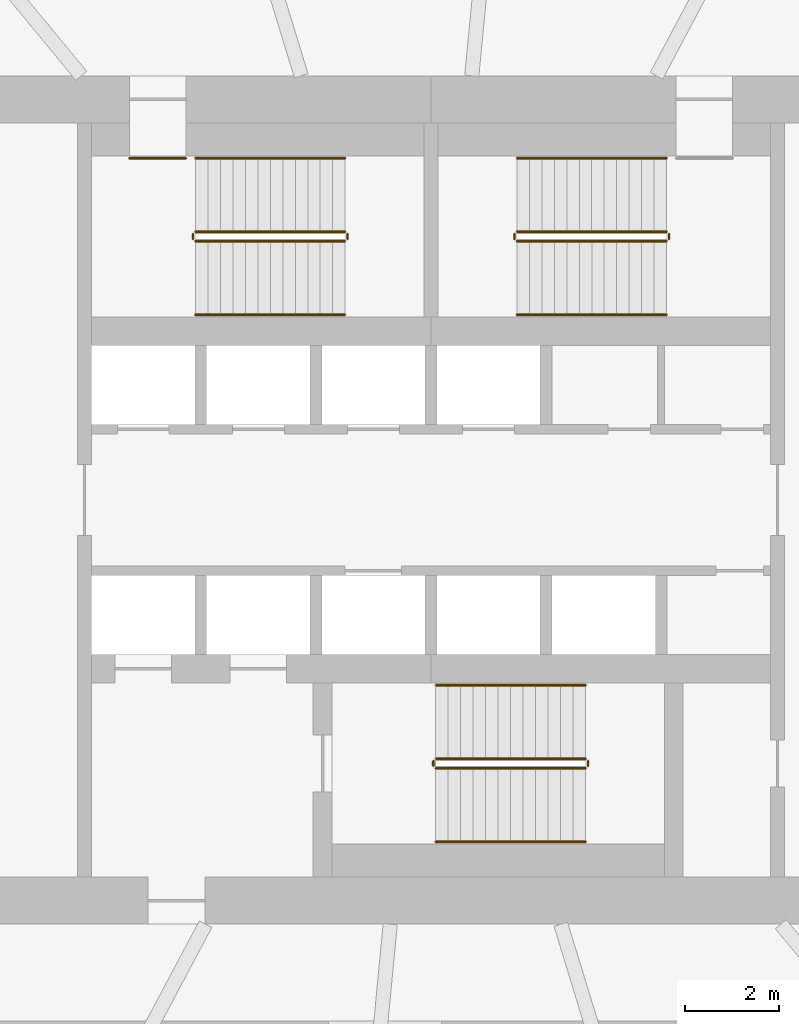
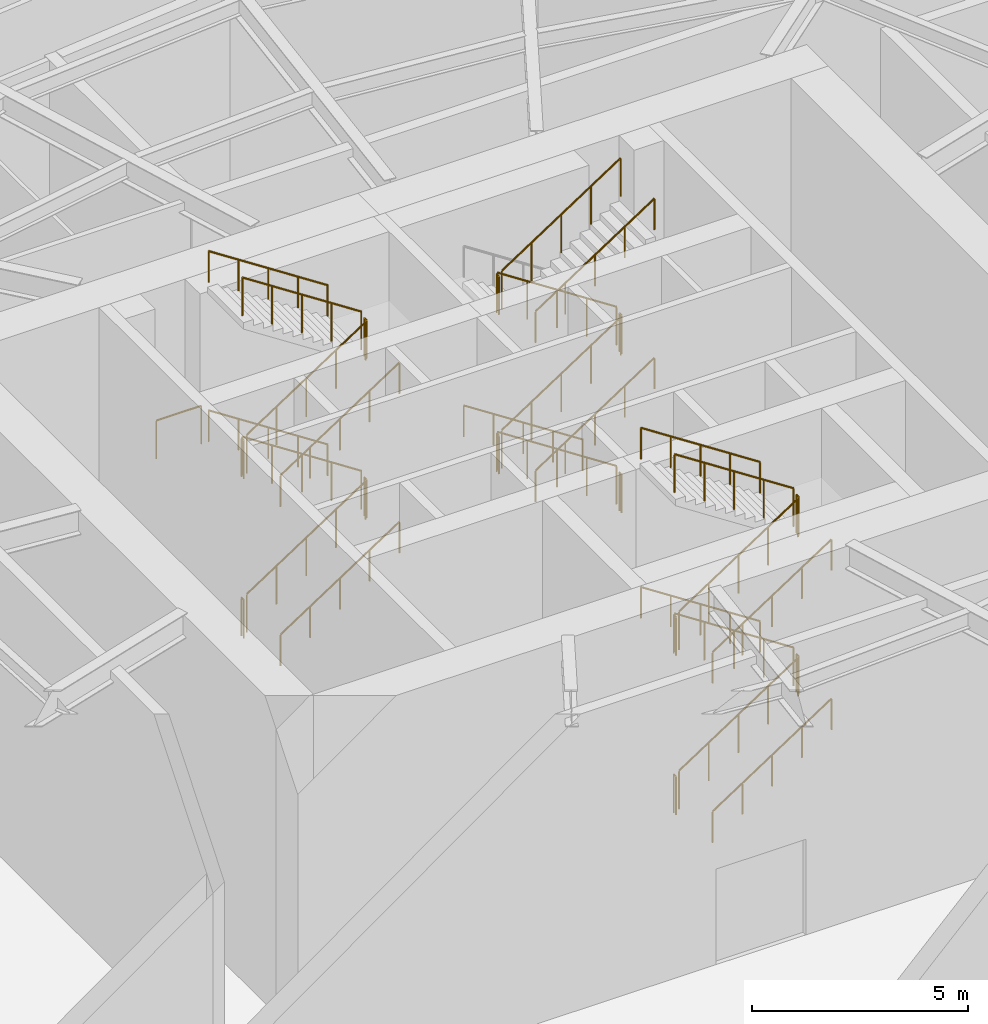
# One storey, part 18 of 19: 36 railings.
"""IFC4 building model written with IfcOpenShell, lengths in metres."""

from ifc_helpers import new_model, si_unit, direction, frame, origin, origin_2d, place, context, subcontext, project, spatial, circle, extrude, material, type_object, element, save


model = new_model("IFC4")

# Units and contexts
model_context = context("Model", 3, precision=1e-05, world=origin(), true_north=direction((0.0, 1.0)))
body_context = subcontext(model_context, "Body", "Model", "MODEL_VIEW")
ifc_project = project(units=[si_unit("LENGTHUNIT", "METRE"), si_unit("AREAUNIT", "SQUARE_METRE"), si_unit("VOLUMEUNIT", "CUBIC_METRE"), si_unit("PLANEANGLEUNIT", "RADIAN"), si_unit("MASSUNIT", "GRAM", prefix="KILO")], contexts=[model_context])

# Site, building, storey
site_placement = place(None, origin())
site = spatial("IfcSite", under=ifc_project, at=site_placement, CompositionType="ELEMENT")
building_placement = place(site_placement, origin())
building = spatial("IfcBuilding", under=site, at=building_placement, Name="Vermilion Reach Broadcast Tower", CompositionType="ELEMENT")
storey_placement = place(building_placement, frame((0.0, 0.0, 17.0)))
storey = spatial("IfcBuildingStorey", under=building, at=storey_placement, Name="L02", CompositionType="ELEMENT", Elevation=17.0)

# Railings
ifc_material_1 = material(Name="Stainless steel", Category="steel")
railing_type_1 = type_object("IfcRailingType", Name="Stair guard 1100", PredefinedType="GUARDRAIL", material=ifc_material_1)
railing_1_placement = place(storey_placement, frame((-11.0, 5.489990234375, 0.173095703125)))
element("IfcRailing", 1, at=railing_1_placement, inside=storey, type_object=railing_type_1, Name="L02 ST1 stair guard 1", PredefinedType="GUARDRAIL", context=body_context, shape_type="SweptSolid", body=[
    extrude(circle(Radius=0.02392578125, at=origin_2d()), frame((0.0, 0.0, 1.076171875), z_axis=(0.837244679093, 0.0, 0.546828444149), x_axis=(0.0, 1.0, 0.0)), (0.0, 0.0, 1.0), 3.798095703125),
    extrude(circle(Radius=0.02099609375, at=origin_2d()), origin(), (0.0, 0.0, 1.0), 1.052001953125),
    extrude(circle(Radius=0.02099609375, at=origin_2d()), frame((0.794921875, 0.0, 0.519287109375)), (0.0, 0.0, 1.0), 1.052001953125),
    extrude(circle(Radius=0.02099609375, at=origin_2d()), frame((1.58984375, 0.0, 1.03857421875)), (0.0, 0.0, 1.0), 1.052001953125),
    extrude(circle(Radius=0.02099609375, at=origin_2d()), frame((2.385009765625, 0.0, 1.5576171875)), (0.0, 0.0, 1.0), 1.052001953125),
    extrude(circle(Radius=0.02099609375, at=origin_2d()), frame((3.179931640625, 0.0, 2.076904296875)), (0.0, 0.0, 1.0), 1.052001953125),
])
railing_2_placement = place(storey_placement, frame((-7.77001953125, 5.5400390625, 2.25)))
element("IfcRailing", 2, at=railing_2_placement, inside=storey, type_object=railing_type_1, Name="L02 ST1 stair guard 2", PredefinedType="GUARDRAIL", context=body_context, shape_type="SweptSolid", body=[
    extrude(circle(Radius=0.02392578125, at=origin_2d()), frame((0.0, 0.0, 1.076171875), z_axis=(0.0, 1.0, 0.0), x_axis=(-1.0, 0.0, 0.0)), (0.0, 0.0, 1.0), 0.099853515625),
    extrude(circle(Radius=0.02099609375, at=origin_2d()), origin(), (0.0, 0.0, 1.0), 1.052001953125),
    extrude(circle(Radius=0.02099609375, at=origin_2d()), frame((0.0, 0.099853515625, 0.0)), (0.0, 0.0, 1.0), 1.052001953125),
])
railing_3_placement = place(storey_placement, frame((-7.820068359375, 5.68994140625, 2.423095703125)))
element("IfcRailing", 3, at=railing_3_placement, inside=storey, type_object=railing_type_1, Name="L02 ST1 stair guard 3", PredefinedType="GUARDRAIL", context=body_context, shape_type="SweptSolid", body=[
    extrude(circle(Radius=0.02392578125, at=origin_2d()), frame((0.0, 0.0, 1.076171875), z_axis=(-0.837244679093, 0.0, 0.546828444149), x_axis=(0.0, -1.0, 0.0)), (0.0, 0.0, 1.0), 3.798095703125),
    extrude(circle(Radius=0.02099609375, at=origin_2d()), origin(), (0.0, 0.0, 1.0), 1.052001953125),
    extrude(circle(Radius=0.02099609375, at=origin_2d()), frame((-0.794921875, 0.0, 0.519287109375)), (0.0, 0.0, 1.0), 1.052001953125),
    extrude(circle(Radius=0.02099609375, at=origin_2d()), frame((-1.58984375, 0.0, 1.03857421875)), (0.0, 0.0, 1.0), 1.052001953125),
    extrude(circle(Radius=0.02099609375, at=origin_2d()), frame((-2.385009765625, 0.0, 1.5576171875)), (0.0, 0.0, 1.0), 1.052001953125),
    extrude(circle(Radius=0.02099609375, at=origin_2d()), frame((-3.179931640625, 0.0, 2.076904296875)), (0.0, 0.0, 1.0), 1.052001953125),
])
railing_4_placement = place(storey_placement, frame((-11.050048828125, 5.5400390625, 4.5)))
element("IfcRailing", 4, at=railing_4_placement, inside=storey, type_object=railing_type_1, Name="L02 ST1 stair guard 4", PredefinedType="GUARDRAIL", context=body_context, shape_type="SweptSolid", body=[
    extrude(circle(Radius=0.02392578125, at=origin_2d()), frame((0.0, 0.0, 1.076171875), z_axis=(0.0, 1.0, 0.0), x_axis=(-1.0, 0.0, 0.0)), (0.0, 0.0, 1.0), 0.099853515625),
    extrude(circle(Radius=0.02099609375, at=origin_2d()), origin(), (0.0, 0.0, 1.0), 1.052001953125),
    extrude(circle(Radius=0.02099609375, at=origin_2d()), frame((0.0, 0.099853515625, 0.0)), (0.0, 0.0, 1.0), 1.052001953125),
])
railing_5_placement = place(storey_placement, frame((-11.0, 5.489990234375, 4.673095703125)))
element("IfcRailing", 5, at=railing_5_placement, inside=storey, type_object=railing_type_1, Name="L02 ST1 stair guard 5", PredefinedType="GUARDRAIL", context=body_context, shape_type="SweptSolid", body=[
    extrude(circle(Radius=0.02392578125, at=origin_2d()), frame((0.0, 0.0, 1.076171875), z_axis=(0.837244679093, 0.0, 0.546828444149), x_axis=(0.0, 1.0, 0.0)), (0.0, 0.0, 1.0), 3.798095703125),
    extrude(circle(Radius=0.02099609375, at=origin_2d()), origin(), (0.0, 0.0, 1.0), 1.052001953125),
    extrude(circle(Radius=0.02099609375, at=origin_2d()), frame((0.794921875, 0.0, 0.519287109375)), (0.0, 0.0, 1.0), 1.052001953125),
    extrude(circle(Radius=0.02099609375, at=origin_2d()), frame((1.58984375, 0.0, 1.03857421875)), (0.0, 0.0, 1.0), 1.052001953125),
    extrude(circle(Radius=0.02099609375, at=origin_2d()), frame((2.385009765625, 0.0, 1.5576171875)), (0.0, 0.0, 1.0), 1.052001953125),
    extrude(circle(Radius=0.02099609375, at=origin_2d()), frame((3.179931640625, 0.0, 2.076904296875)), (0.0, 0.0, 1.0), 1.052001953125),
])
railing_6_placement = place(storey_placement, frame((-7.77001953125, 5.5400390625, 6.75)))
element("IfcRailing", 6, at=railing_6_placement, inside=storey, type_object=railing_type_1, Name="L02 ST1 stair guard 6", PredefinedType="GUARDRAIL", context=body_context, shape_type="SweptSolid", body=[
    extrude(circle(Radius=0.02392578125, at=origin_2d()), frame((0.0, 0.0, 1.076171875), z_axis=(0.0, 1.0, 0.0), x_axis=(-1.0, 0.0, 0.0)), (0.0, 0.0, 1.0), 0.099853515625),
    extrude(circle(Radius=0.02099609375, at=origin_2d()), origin(), (0.0, 0.0, 1.0), 1.052001953125),
    extrude(circle(Radius=0.02099609375, at=origin_2d()), frame((0.0, 0.099853515625, 0.0)), (0.0, 0.0, 1.0), 1.052001953125),
])
railing_7_placement = place(storey_placement, frame((-7.820068359375, 5.68994140625, 6.923095703125)))
element("IfcRailing", 7, at=railing_7_placement, inside=storey, type_object=railing_type_1, Name="L02 ST1 stair guard 7", PredefinedType="GUARDRAIL", context=body_context, shape_type="SweptSolid", body=[
    extrude(circle(Radius=0.02392578125, at=origin_2d()), frame((0.0, 0.0, 1.076171875), z_axis=(-0.837244679093, 0.0, 0.546828444149), x_axis=(0.0, -1.0, 0.0)), (0.0, 0.0, 1.0), 3.798095703125),
    extrude(circle(Radius=0.02099609375, at=origin_2d()), origin(), (0.0, 0.0, 1.0), 1.052001953125),
    extrude(circle(Radius=0.02099609375, at=origin_2d()), frame((-0.794921875, 0.0, 0.519287109375)), (0.0, 0.0, 1.0), 1.052001953125),
    extrude(circle(Radius=0.02099609375, at=origin_2d()), frame((-1.58984375, 0.0, 1.03857421875)), (0.0, 0.0, 1.0), 1.052001953125),
    extrude(circle(Radius=0.02099609375, at=origin_2d()), frame((-2.385009765625, 0.0, 1.5576171875)), (0.0, 0.0, 1.0), 1.052001953125),
    extrude(circle(Radius=0.02099609375, at=origin_2d()), frame((-3.179931640625, 0.0, 2.076904296875)), (0.0, 0.0, 1.0), 1.052001953125),
])
railing_8_placement = place(storey_placement, frame((-11.050048828125, 5.5400390625, 0.0)))
element("IfcRailing", 8, at=railing_8_placement, inside=storey, type_object=railing_type_1, Name="L02 ST1 stair guard 8", PredefinedType="GUARDRAIL", context=body_context, shape_type="SweptSolid", body=[
    extrude(circle(Radius=0.02392578125, at=origin_2d()), frame((0.0, 0.0, 1.076171875), z_axis=(0.0, 1.0, 0.0), x_axis=(-1.0, 0.0, 0.0)), (0.0, 0.0, 1.0), 0.099853515625),
    extrude(circle(Radius=0.02099609375, at=origin_2d()), origin(), (0.0, 0.0, 1.0), 1.052001953125),
    extrude(circle(Radius=0.02099609375, at=origin_2d()), frame((0.0, 0.099853515625, 0.0)), (0.0, 0.0, 1.0), 1.052001953125),
])
railing_9_placement = place(storey_placement, frame((-12.39990234375, 7.25, 4.5)))
element("IfcRailing", 9, at=railing_9_placement, inside=storey, type_object=railing_type_1, Name="L02 ST1 doorway guard", PredefinedType="GUARDRAIL", context=body_context, shape_type="SweptSolid", body=[
    extrude(circle(Radius=0.02392578125, at=origin_2d()), frame((0.0, 0.0, 1.076171875), z_axis=(1.0, 0.0, 0.0), x_axis=(0.0, 1.0, 0.0)), (0.0, 0.0, 1.0), 1.199951171875),
    extrude(circle(Radius=0.02099609375, at=origin_2d()), origin(), (0.0, 0.0, 1.0), 1.052001953125),
    extrude(circle(Radius=0.02099609375, at=origin_2d()), frame((1.199951171875, 0.0, 0.0)), (0.0, 0.0, 1.0), 1.052001953125),
])
railing_10_placement = place(storey_placement, frame((-1.0, 5.68994140625, 0.173095703125)))
element("IfcRailing", 10, at=railing_10_placement, inside=storey, type_object=railing_type_1, Name="L02 ST2 stair guard 1", PredefinedType="GUARDRAIL", context=body_context, shape_type="SweptSolid", body=[
    extrude(circle(Radius=0.02392578125, at=origin_2d()), frame((0.0, 0.0, 1.076171875), z_axis=(-0.837244679093, 0.0, 0.546828444149), x_axis=(0.0, -1.0, 0.0)), (0.0, 0.0, 1.0), 3.798095703125),
    extrude(circle(Radius=0.02099609375, at=origin_2d()), origin(), (0.0, 0.0, 1.0), 1.052001953125),
    extrude(circle(Radius=0.02099609375, at=origin_2d()), frame((-0.794921875, 0.0, 0.519287109375)), (0.0, 0.0, 1.0), 1.052001953125),
    extrude(circle(Radius=0.02099609375, at=origin_2d()), frame((-1.58984375, 0.0, 1.03857421875)), (0.0, 0.0, 1.0), 1.052001953125),
    extrude(circle(Radius=0.02099609375, at=origin_2d()), frame((-2.385009765625, 0.0, 1.5576171875)), (0.0, 0.0, 1.0), 1.052001953125),
    extrude(circle(Radius=0.02099609375, at=origin_2d()), frame((-3.179931640625, 0.0, 2.076904296875)), (0.0, 0.0, 1.0), 1.052001953125),
])
railing_11_placement = place(storey_placement, frame((-4.22998046875, 5.639892578125, 2.25)))
element("IfcRailing", 11, at=railing_11_placement, inside=storey, type_object=railing_type_1, Name="L02 ST2 stair guard 2", PredefinedType="GUARDRAIL", context=body_context, shape_type="SweptSolid", body=[
    extrude(circle(Radius=0.02392578125, at=origin_2d()), frame((0.0, 0.0, 1.076171875), z_axis=(0.0, -1.0, 0.0), x_axis=(1.0, 0.0, 0.0)), (0.0, 0.0, 1.0), 0.099853515625),
    extrude(circle(Radius=0.02099609375, at=origin_2d()), origin(), (0.0, 0.0, 1.0), 1.052001953125),
    extrude(circle(Radius=0.02099609375, at=origin_2d()), frame((0.0, -0.099853515625, 0.0)), (0.0, 0.0, 1.0), 1.052001953125),
])
railing_12_placement = place(storey_placement, frame((-4.179931640625, 5.489990234375, 2.423095703125)))
element("IfcRailing", 12, at=railing_12_placement, inside=storey, type_object=railing_type_1, Name="L02 ST2 stair guard 3", PredefinedType="GUARDRAIL", context=body_context, shape_type="SweptSolid", body=[
    extrude(circle(Radius=0.02392578125, at=origin_2d()), frame((0.0, 0.0, 1.076171875), z_axis=(0.837244679093, 0.0, 0.546828444149), x_axis=(0.0, 1.0, 0.0)), (0.0, 0.0, 1.0), 3.798095703125),
    extrude(circle(Radius=0.02099609375, at=origin_2d()), origin(), (0.0, 0.0, 1.0), 1.052001953125),
    extrude(circle(Radius=0.02099609375, at=origin_2d()), frame((0.794921875, 0.0, 0.519287109375)), (0.0, 0.0, 1.0), 1.052001953125),
    extrude(circle(Radius=0.02099609375, at=origin_2d()), frame((1.58984375, 0.0, 1.03857421875)), (0.0, 0.0, 1.0), 1.052001953125),
    extrude(circle(Radius=0.02099609375, at=origin_2d()), frame((2.385009765625, 0.0, 1.5576171875)), (0.0, 0.0, 1.0), 1.052001953125),
    extrude(circle(Radius=0.02099609375, at=origin_2d()), frame((3.179931640625, 0.0, 2.076904296875)), (0.0, 0.0, 1.0), 1.052001953125),
])
railing_13_placement = place(storey_placement, frame((-0.949951171875, 5.639892578125, 4.5)))
element("IfcRailing", 13, at=railing_13_placement, inside=storey, type_object=railing_type_1, Name="L02 ST2 stair guard 4", PredefinedType="GUARDRAIL", context=body_context, shape_type="SweptSolid", body=[
    extrude(circle(Radius=0.02392578125, at=origin_2d()), frame((0.0, 0.0, 1.076171875), z_axis=(0.0, -1.0, 0.0), x_axis=(1.0, 0.0, 0.0)), (0.0, 0.0, 1.0), 0.099853515625),
    extrude(circle(Radius=0.02099609375, at=origin_2d()), origin(), (0.0, 0.0, 1.0), 1.052001953125),
    extrude(circle(Radius=0.02099609375, at=origin_2d()), frame((0.0, -0.099853515625, 0.0)), (0.0, 0.0, 1.0), 1.052001953125),
])
railing_14_placement = place(storey_placement, frame((-1.0, 5.68994140625, 4.673095703125)))
element("IfcRailing", 14, at=railing_14_placement, inside=storey, type_object=railing_type_1, Name="L02 ST2 stair guard 5", PredefinedType="GUARDRAIL", context=body_context, shape_type="SweptSolid", body=[
    extrude(circle(Radius=0.02392578125, at=origin_2d()), frame((0.0, 0.0, 1.076171875), z_axis=(-0.837244679093, 0.0, 0.546828444149), x_axis=(0.0, -1.0, 0.0)), (0.0, 0.0, 1.0), 3.798095703125),
    extrude(circle(Radius=0.02099609375, at=origin_2d()), origin(), (0.0, 0.0, 1.0), 1.052001953125),
    extrude(circle(Radius=0.02099609375, at=origin_2d()), frame((-0.794921875, 0.0, 0.519287109375)), (0.0, 0.0, 1.0), 1.052001953125),
    extrude(circle(Radius=0.02099609375, at=origin_2d()), frame((-1.58984375, 0.0, 1.03857421875)), (0.0, 0.0, 1.0), 1.052001953125),
    extrude(circle(Radius=0.02099609375, at=origin_2d()), frame((-2.385009765625, 0.0, 1.5576171875)), (0.0, 0.0, 1.0), 1.052001953125),
    extrude(circle(Radius=0.02099609375, at=origin_2d()), frame((-3.179931640625, 0.0, 2.076904296875)), (0.0, 0.0, 1.0), 1.052001953125),
])
railing_15_placement = place(storey_placement, frame((-4.22998046875, 5.639892578125, 6.75)))
element("IfcRailing", 15, at=railing_15_placement, inside=storey, type_object=railing_type_1, Name="L02 ST2 stair guard 6", PredefinedType="GUARDRAIL", context=body_context, shape_type="SweptSolid", body=[
    extrude(circle(Radius=0.02392578125, at=origin_2d()), frame((0.0, 0.0, 1.076171875), z_axis=(0.0, -1.0, 0.0), x_axis=(1.0, 0.0, 0.0)), (0.0, 0.0, 1.0), 0.099853515625),
    extrude(circle(Radius=0.02099609375, at=origin_2d()), origin(), (0.0, 0.0, 1.0), 1.052001953125),
    extrude(circle(Radius=0.02099609375, at=origin_2d()), frame((0.0, -0.099853515625, 0.0)), (0.0, 0.0, 1.0), 1.052001953125),
])
railing_16_placement = place(storey_placement, frame((-4.179931640625, 5.489990234375, 6.923095703125)))
element("IfcRailing", 16, at=railing_16_placement, inside=storey, type_object=railing_type_1, Name="L02 ST2 stair guard 7", PredefinedType="GUARDRAIL", context=body_context, shape_type="SweptSolid", body=[
    extrude(circle(Radius=0.02392578125, at=origin_2d()), frame((0.0, 0.0, 1.076171875), z_axis=(0.837244679093, 0.0, 0.546828444149), x_axis=(0.0, 1.0, 0.0)), (0.0, 0.0, 1.0), 3.798095703125),
    extrude(circle(Radius=0.02099609375, at=origin_2d()), origin(), (0.0, 0.0, 1.0), 1.052001953125),
    extrude(circle(Radius=0.02099609375, at=origin_2d()), frame((0.794921875, 0.0, 0.519287109375)), (0.0, 0.0, 1.0), 1.052001953125),
    extrude(circle(Radius=0.02099609375, at=origin_2d()), frame((1.58984375, 0.0, 1.03857421875)), (0.0, 0.0, 1.0), 1.052001953125),
    extrude(circle(Radius=0.02099609375, at=origin_2d()), frame((2.385009765625, 0.0, 1.5576171875)), (0.0, 0.0, 1.0), 1.052001953125),
    extrude(circle(Radius=0.02099609375, at=origin_2d()), frame((3.179931640625, 0.0, 2.076904296875)), (0.0, 0.0, 1.0), 1.052001953125),
])
railing_17_placement = place(storey_placement, frame((-0.949951171875, 5.639892578125, 0.0)))
element("IfcRailing", 17, at=railing_17_placement, inside=storey, type_object=railing_type_1, Name="L02 ST2 stair guard 8", PredefinedType="GUARDRAIL", context=body_context, shape_type="SweptSolid", body=[
    extrude(circle(Radius=0.02392578125, at=origin_2d()), frame((0.0, 0.0, 1.076171875), z_axis=(0.0, -1.0, 0.0), x_axis=(1.0, 0.0, 0.0)), (0.0, 0.0, 1.0), 0.099853515625),
    extrude(circle(Radius=0.02099609375, at=origin_2d()), origin(), (0.0, 0.0, 1.0), 1.052001953125),
    extrude(circle(Radius=0.02099609375, at=origin_2d()), frame((0.0, -0.099853515625, 0.0)), (0.0, 0.0, 1.0), 1.052001953125),
])
railing_18_placement = place(storey_placement, frame((-5.89990234375, -5.68994140625, 0.173095703125)))
element("IfcRailing", 18, at=railing_18_placement, inside=storey, type_object=railing_type_1, Name="L02 ST3 stair guard 1", PredefinedType="GUARDRAIL", context=body_context, shape_type="SweptSolid", body=[
    extrude(circle(Radius=0.02392578125, at=origin_2d()), frame((0.0, 0.0, 1.076171875), z_axis=(0.837244679093, 0.0, 0.546828444149), x_axis=(0.0, 1.0, 0.0)), (0.0, 0.0, 1.0), 3.798095703125),
    extrude(circle(Radius=0.02099609375, at=origin_2d()), origin(), (0.0, 0.0, 1.0), 1.052001953125),
    extrude(circle(Radius=0.02099609375, at=origin_2d()), frame((0.794921875, 0.0, 0.519287109375)), (0.0, 0.0, 1.0), 1.052001953125),
    extrude(circle(Radius=0.02099609375, at=origin_2d()), frame((1.58984375, 0.0, 1.03857421875)), (0.0, 0.0, 1.0), 1.052001953125),
    extrude(circle(Radius=0.02099609375, at=origin_2d()), frame((2.385009765625, 0.0, 1.5576171875)), (0.0, 0.0, 1.0), 1.052001953125),
    extrude(circle(Radius=0.02099609375, at=origin_2d()), frame((3.179931640625, 0.0, 2.076904296875)), (0.0, 0.0, 1.0), 1.052001953125),
])
railing_19_placement = place(storey_placement, frame((-2.669921875, -5.639892578125, 2.25)))
element("IfcRailing", 19, at=railing_19_placement, inside=storey, type_object=railing_type_1, Name="L02 ST3 stair guard 2", PredefinedType="GUARDRAIL", context=body_context, shape_type="SweptSolid", body=[
    extrude(circle(Radius=0.02392578125, at=origin_2d()), frame((0.0, 0.0, 1.076171875), z_axis=(0.0, 1.0, 0.0), x_axis=(-1.0, 0.0, 0.0)), (0.0, 0.0, 1.0), 0.099853515625),
    extrude(circle(Radius=0.02099609375, at=origin_2d()), origin(), (0.0, 0.0, 1.0), 1.052001953125),
    extrude(circle(Radius=0.02099609375, at=origin_2d()), frame((0.0, 0.099853515625, 0.0)), (0.0, 0.0, 1.0), 1.052001953125),
])
railing_20_placement = place(storey_placement, frame((-2.719970703125, -5.489990234375, 2.423095703125)))
element("IfcRailing", 20, at=railing_20_placement, inside=storey, type_object=railing_type_1, Name="L02 ST3 stair guard 3", PredefinedType="GUARDRAIL", context=body_context, shape_type="SweptSolid", body=[
    extrude(circle(Radius=0.02392578125, at=origin_2d()), frame((0.0, 0.0, 1.076171875), z_axis=(-0.837244679093, 0.0, 0.546828444149), x_axis=(0.0, -1.0, 0.0)), (0.0, 0.0, 1.0), 3.798095703125),
    extrude(circle(Radius=0.02099609375, at=origin_2d()), origin(), (0.0, 0.0, 1.0), 1.052001953125),
    extrude(circle(Radius=0.02099609375, at=origin_2d()), frame((-0.794921875, 0.0, 0.519287109375)), (0.0, 0.0, 1.0), 1.052001953125),
    extrude(circle(Radius=0.02099609375, at=origin_2d()), frame((-1.58984375, 0.0, 1.03857421875)), (0.0, 0.0, 1.0), 1.052001953125),
    extrude(circle(Radius=0.02099609375, at=origin_2d()), frame((-2.385009765625, 0.0, 1.5576171875)), (0.0, 0.0, 1.0), 1.052001953125),
    extrude(circle(Radius=0.02099609375, at=origin_2d()), frame((-3.179931640625, 0.0, 2.076904296875)), (0.0, 0.0, 1.0), 1.052001953125),
])
railing_21_placement = place(storey_placement, frame((-5.949951171875, -5.639892578125, 4.5)))
element("IfcRailing", 21, at=railing_21_placement, inside=storey, type_object=railing_type_1, Name="L02 ST3 stair guard 4", PredefinedType="GUARDRAIL", context=body_context, shape_type="SweptSolid", body=[
    extrude(circle(Radius=0.02392578125, at=origin_2d()), frame((0.0, 0.0, 1.076171875), z_axis=(0.0, 1.0, 0.0), x_axis=(-1.0, 0.0, 0.0)), (0.0, 0.0, 1.0), 0.099853515625),
    extrude(circle(Radius=0.02099609375, at=origin_2d()), origin(), (0.0, 0.0, 1.0), 1.052001953125),
    extrude(circle(Radius=0.02099609375, at=origin_2d()), frame((0.0, 0.099853515625, 0.0)), (0.0, 0.0, 1.0), 1.052001953125),
])
railing_22_placement = place(storey_placement, frame((-5.89990234375, -5.68994140625, 4.673095703125)))
element("IfcRailing", 22, at=railing_22_placement, inside=storey, type_object=railing_type_1, Name="L02 ST3 stair guard 5", PredefinedType="GUARDRAIL", context=body_context, shape_type="SweptSolid", body=[
    extrude(circle(Radius=0.02392578125, at=origin_2d()), frame((0.0, 0.0, 1.076171875), z_axis=(0.837244679093, 0.0, 0.546828444149), x_axis=(0.0, 1.0, 0.0)), (0.0, 0.0, 1.0), 3.798095703125),
    extrude(circle(Radius=0.02099609375, at=origin_2d()), origin(), (0.0, 0.0, 1.0), 1.052001953125),
    extrude(circle(Radius=0.02099609375, at=origin_2d()), frame((0.794921875, 0.0, 0.519287109375)), (0.0, 0.0, 1.0), 1.052001953125),
    extrude(circle(Radius=0.02099609375, at=origin_2d()), frame((1.58984375, 0.0, 1.03857421875)), (0.0, 0.0, 1.0), 1.052001953125),
    extrude(circle(Radius=0.02099609375, at=origin_2d()), frame((2.385009765625, 0.0, 1.5576171875)), (0.0, 0.0, 1.0), 1.052001953125),
    extrude(circle(Radius=0.02099609375, at=origin_2d()), frame((3.179931640625, 0.0, 2.076904296875)), (0.0, 0.0, 1.0), 1.052001953125),
])
railing_23_placement = place(storey_placement, frame((-2.669921875, -5.639892578125, 6.75)))
element("IfcRailing", 23, at=railing_23_placement, inside=storey, type_object=railing_type_1, Name="L02 ST3 stair guard 6", PredefinedType="GUARDRAIL", context=body_context, shape_type="SweptSolid", body=[
    extrude(circle(Radius=0.02392578125, at=origin_2d()), frame((0.0, 0.0, 1.076171875), z_axis=(0.0, 1.0, 0.0), x_axis=(-1.0, 0.0, 0.0)), (0.0, 0.0, 1.0), 0.099853515625),
    extrude(circle(Radius=0.02099609375, at=origin_2d()), origin(), (0.0, 0.0, 1.0), 1.052001953125),
    extrude(circle(Radius=0.02099609375, at=origin_2d()), frame((0.0, 0.099853515625, 0.0)), (0.0, 0.0, 1.0), 1.052001953125),
])
railing_24_placement = place(storey_placement, frame((-2.719970703125, -5.489990234375, 6.923095703125)))
element("IfcRailing", 24, at=railing_24_placement, inside=storey, type_object=railing_type_1, Name="L02 ST3 stair guard 7", PredefinedType="GUARDRAIL", context=body_context, shape_type="SweptSolid", body=[
    extrude(circle(Radius=0.02392578125, at=origin_2d()), frame((0.0, 0.0, 1.076171875), z_axis=(-0.837244679093, 0.0, 0.546828444149), x_axis=(0.0, -1.0, 0.0)), (0.0, 0.0, 1.0), 3.798095703125),
    extrude(circle(Radius=0.02099609375, at=origin_2d()), origin(), (0.0, 0.0, 1.0), 1.052001953125),
    extrude(circle(Radius=0.02099609375, at=origin_2d()), frame((-0.794921875, 0.0, 0.519287109375)), (0.0, 0.0, 1.0), 1.052001953125),
    extrude(circle(Radius=0.02099609375, at=origin_2d()), frame((-1.58984375, 0.0, 1.03857421875)), (0.0, 0.0, 1.0), 1.052001953125),
    extrude(circle(Radius=0.02099609375, at=origin_2d()), frame((-2.385009765625, 0.0, 1.5576171875)), (0.0, 0.0, 1.0), 1.052001953125),
    extrude(circle(Radius=0.02099609375, at=origin_2d()), frame((-3.179931640625, 0.0, 2.076904296875)), (0.0, 0.0, 1.0), 1.052001953125),
])
railing_25_placement = place(storey_placement, frame((-5.949951171875, -5.639892578125, 0.0)))
element("IfcRailing", 25, at=railing_25_placement, inside=storey, type_object=railing_type_1, Name="L02 ST3 stair guard 8", PredefinedType="GUARDRAIL", context=body_context, shape_type="SweptSolid", body=[
    extrude(circle(Radius=0.02392578125, at=origin_2d()), frame((0.0, 0.0, 1.076171875), z_axis=(0.0, 1.0, 0.0), x_axis=(-1.0, 0.0, 0.0)), (0.0, 0.0, 1.0), 0.099853515625),
    extrude(circle(Radius=0.02099609375, at=origin_2d()), origin(), (0.0, 0.0, 1.0), 1.052001953125),
    extrude(circle(Radius=0.02099609375, at=origin_2d()), frame((0.0, 0.099853515625, 0.0)), (0.0, 0.0, 1.0), 1.052001953125),
])
ifc_material_2 = material(Name="Stainless steel", Category="steel")
railing_type_2 = type_object("IfcRailingType", Name="Stair handrail", PredefinedType="HANDRAIL", material=ifc_material_2)
railing_26_placement = place(storey_placement, frame((-11.0, 3.929931640625, 0.173095703125)))
element("IfcRailing", 26, at=railing_26_placement, inside=storey, type_object=railing_type_2, Name="L02 ST1 stair handrail 1", PredefinedType="HANDRAIL", context=body_context, shape_type="SweptSolid", body=[
    extrude(circle(Radius=0.02392578125, at=origin_2d()), frame((0.0, 0.0, 0.8759765625), z_axis=(0.837244679093, 0.0, 0.546828444149), x_axis=(0.0, 1.0, 0.0)), (0.0, 0.0, 1.0), 3.798095703125),
    extrude(circle(Radius=0.02099609375, at=origin_2d()), origin(), (0.0, 0.0, 1.0), 0.851806640625),
    extrude(circle(Radius=0.02099609375, at=origin_2d()), frame((0.794921875, 0.0, 0.519287109375)), (0.0, 0.0, 1.0), 0.851806640625),
    extrude(circle(Radius=0.02099609375, at=origin_2d()), frame((1.58984375, 0.0, 1.03857421875)), (0.0, 0.0, 1.0), 0.851806640625),
    extrude(circle(Radius=0.02099609375, at=origin_2d()), frame((2.385009765625, 0.0, 1.5576171875)), (0.0, 0.0, 1.0), 0.851806640625),
    extrude(circle(Radius=0.02099609375, at=origin_2d()), frame((3.179931640625, 0.0, 2.076904296875)), (0.0, 0.0, 1.0), 0.851806640625),
])
railing_27_placement = place(storey_placement, frame((-7.820068359375, 7.25, 2.423095703125)))
element("IfcRailing", 27, at=railing_27_placement, inside=storey, type_object=railing_type_2, Name="L02 ST1 stair handrail 2", PredefinedType="HANDRAIL", context=body_context, shape_type="SweptSolid", body=[
    extrude(circle(Radius=0.02392578125, at=origin_2d()), frame((0.0, 0.0, 0.8759765625), z_axis=(-0.837244679093, 0.0, 0.546828444149), x_axis=(0.0, -1.0, 0.0)), (0.0, 0.0, 1.0), 3.798095703125),
    extrude(circle(Radius=0.02099609375, at=origin_2d()), origin(), (0.0, 0.0, 1.0), 0.851806640625),
    extrude(circle(Radius=0.02099609375, at=origin_2d()), frame((-0.794921875, 0.0, 0.519287109375)), (0.0, 0.0, 1.0), 0.851806640625),
    extrude(circle(Radius=0.02099609375, at=origin_2d()), frame((-1.58984375, 0.0, 1.03857421875)), (0.0, 0.0, 1.0), 0.851806640625),
    extrude(circle(Radius=0.02099609375, at=origin_2d()), frame((-2.385009765625, 0.0, 1.5576171875)), (0.0, 0.0, 1.0), 0.851806640625),
    extrude(circle(Radius=0.02099609375, at=origin_2d()), frame((-3.179931640625, 0.0, 2.076904296875)), (0.0, 0.0, 1.0), 0.851806640625),
])
railing_28_placement = place(storey_placement, frame((-11.0, 3.929931640625, 4.673095703125)))
element("IfcRailing", 28, at=railing_28_placement, inside=storey, type_object=railing_type_2, Name="L02 ST1 stair handrail 3", PredefinedType="HANDRAIL", context=body_context, shape_type="SweptSolid", body=[
    extrude(circle(Radius=0.02392578125, at=origin_2d()), frame((0.0, 0.0, 0.8759765625), z_axis=(0.837244679093, 0.0, 0.546828444149), x_axis=(0.0, 1.0, 0.0)), (0.0, 0.0, 1.0), 3.798095703125),
    extrude(circle(Radius=0.02099609375, at=origin_2d()), origin(), (0.0, 0.0, 1.0), 0.851806640625),
    extrude(circle(Radius=0.02099609375, at=origin_2d()), frame((0.794921875, 0.0, 0.519287109375)), (0.0, 0.0, 1.0), 0.851806640625),
    extrude(circle(Radius=0.02099609375, at=origin_2d()), frame((1.58984375, 0.0, 1.03857421875)), (0.0, 0.0, 1.0), 0.851806640625),
    extrude(circle(Radius=0.02099609375, at=origin_2d()), frame((2.385009765625, 0.0, 1.5576171875)), (0.0, 0.0, 1.0), 0.851806640625),
    extrude(circle(Radius=0.02099609375, at=origin_2d()), frame((3.179931640625, 0.0, 2.076904296875)), (0.0, 0.0, 1.0), 0.851806640625),
])
for number, where, name in (
    (29, (-7.820068359375, 7.25, 6.923095703125), "L02 ST1 stair handrail 4"),
    (30, (-1.0, 7.25, 0.173095703125), "L02 ST2 stair handrail 1"),
):
    element("IfcRailing", number, at=place(storey_placement, frame(where)), inside=storey, type_object=railing_type_2, Name=name, PredefinedType="HANDRAIL", context=body_context, shape_type="SweptSolid", body=[
        extrude(circle(Radius=0.02392578125, at=origin_2d()), frame((0.0, 0.0, 0.8759765625), z_axis=(-0.837244679093, 0.0, 0.546828444149), x_axis=(0.0, -1.0, 0.0)), (0.0, 0.0, 1.0), 3.798095703125),
        extrude(circle(Radius=0.02099609375, at=origin_2d()), origin(), (0.0, 0.0, 1.0), 0.851806640625),
        extrude(circle(Radius=0.02099609375, at=origin_2d()), frame((-0.794921875, 0.0, 0.519287109375)), (0.0, 0.0, 1.0), 0.851806640625),
        extrude(circle(Radius=0.02099609375, at=origin_2d()), frame((-1.58984375, 0.0, 1.03857421875)), (0.0, 0.0, 1.0), 0.851806640625),
        extrude(circle(Radius=0.02099609375, at=origin_2d()), frame((-2.385009765625, 0.0, 1.5576171875)), (0.0, 0.0, 1.0), 0.851806640625),
        extrude(circle(Radius=0.02099609375, at=origin_2d()), frame((-3.179931640625, 0.0, 2.076904296875)), (0.0, 0.0, 1.0), 0.851806640625),
    ])
for number, where, name in (
    (31, (-4.179931640625, 3.929931640625, 2.423095703125), "L02 ST2 stair handrail 2"),
    (32, (-4.179931640625, 3.929931640625, 6.923095703125), "L02 ST2 stair handrail 4"),
    (33, (-5.89990234375, -7.25, 0.173095703125), "L02 ST3 stair handrail 1"),
):
    element("IfcRailing", number, at=place(storey_placement, frame(where)), inside=storey, type_object=railing_type_2, Name=name, PredefinedType="HANDRAIL", context=body_context, shape_type="SweptSolid", body=[
        extrude(circle(Radius=0.02392578125, at=origin_2d()), frame((0.0, 0.0, 0.8759765625), z_axis=(0.837244679093, 0.0, 0.546828444149), x_axis=(0.0, 1.0, 0.0)), (0.0, 0.0, 1.0), 3.798095703125),
        extrude(circle(Radius=0.02099609375, at=origin_2d()), origin(), (0.0, 0.0, 1.0), 0.851806640625),
        extrude(circle(Radius=0.02099609375, at=origin_2d()), frame((0.794921875, 0.0, 0.519287109375)), (0.0, 0.0, 1.0), 0.851806640625),
        extrude(circle(Radius=0.02099609375, at=origin_2d()), frame((1.58984375, 0.0, 1.03857421875)), (0.0, 0.0, 1.0), 0.851806640625),
        extrude(circle(Radius=0.02099609375, at=origin_2d()), frame((2.385009765625, 0.0, 1.5576171875)), (0.0, 0.0, 1.0), 0.851806640625),
        extrude(circle(Radius=0.02099609375, at=origin_2d()), frame((3.179931640625, 0.0, 2.076904296875)), (0.0, 0.0, 1.0), 0.851806640625),
    ])
railing_29_placement = place(storey_placement, frame((-2.719970703125, -3.929931640625, 2.423095703125)))
element("IfcRailing", 34, at=railing_29_placement, inside=storey, type_object=railing_type_2, Name="L02 ST3 stair handrail 2", PredefinedType="HANDRAIL", context=body_context, shape_type="SweptSolid", body=[
    extrude(circle(Radius=0.02392578125, at=origin_2d()), frame((0.0, 0.0, 0.8759765625), z_axis=(-0.837244679093, 0.0, 0.546828444149), x_axis=(0.0, -1.0, 0.0)), (0.0, 0.0, 1.0), 3.798095703125),
    extrude(circle(Radius=0.02099609375, at=origin_2d()), origin(), (0.0, 0.0, 1.0), 0.851806640625),
    extrude(circle(Radius=0.02099609375, at=origin_2d()), frame((-0.794921875, 0.0, 0.519287109375)), (0.0, 0.0, 1.0), 0.851806640625),
    extrude(circle(Radius=0.02099609375, at=origin_2d()), frame((-1.58984375, 0.0, 1.03857421875)), (0.0, 0.0, 1.0), 0.851806640625),
    extrude(circle(Radius=0.02099609375, at=origin_2d()), frame((-2.385009765625, 0.0, 1.5576171875)), (0.0, 0.0, 1.0), 0.851806640625),
    extrude(circle(Radius=0.02099609375, at=origin_2d()), frame((-3.179931640625, 0.0, 2.076904296875)), (0.0, 0.0, 1.0), 0.851806640625),
])
railing_30_placement = place(storey_placement, frame((-5.89990234375, -7.25, 4.673095703125)))
element("IfcRailing", 35, at=railing_30_placement, inside=storey, type_object=railing_type_2, Name="L02 ST3 stair handrail 3", PredefinedType="HANDRAIL", context=body_context, shape_type="SweptSolid", body=[
    extrude(circle(Radius=0.02392578125, at=origin_2d()), frame((0.0, 0.0, 0.8759765625), z_axis=(0.837244679093, 0.0, 0.546828444149), x_axis=(0.0, 1.0, 0.0)), (0.0, 0.0, 1.0), 3.798095703125),
    extrude(circle(Radius=0.02099609375, at=origin_2d()), origin(), (0.0, 0.0, 1.0), 0.851806640625),
    extrude(circle(Radius=0.02099609375, at=origin_2d()), frame((0.794921875, 0.0, 0.519287109375)), (0.0, 0.0, 1.0), 0.851806640625),
    extrude(circle(Radius=0.02099609375, at=origin_2d()), frame((1.58984375, 0.0, 1.03857421875)), (0.0, 0.0, 1.0), 0.851806640625),
    extrude(circle(Radius=0.02099609375, at=origin_2d()), frame((2.385009765625, 0.0, 1.5576171875)), (0.0, 0.0, 1.0), 0.851806640625),
    extrude(circle(Radius=0.02099609375, at=origin_2d()), frame((3.179931640625, 0.0, 2.076904296875)), (0.0, 0.0, 1.0), 0.851806640625),
])
railing_31_placement = place(storey_placement, frame((-2.719970703125, -3.929931640625, 6.923095703125)))
element("IfcRailing", 36, at=railing_31_placement, inside=storey, type_object=railing_type_2, Name="L02 ST3 stair handrail 4", PredefinedType="HANDRAIL", context=body_context, shape_type="SweptSolid", body=[
    extrude(circle(Radius=0.02392578125, at=origin_2d()), frame((0.0, 0.0, 0.8759765625), z_axis=(-0.837244679093, 0.0, 0.546828444149), x_axis=(0.0, -1.0, 0.0)), (0.0, 0.0, 1.0), 3.798095703125),
    extrude(circle(Radius=0.02099609375, at=origin_2d()), origin(), (0.0, 0.0, 1.0), 0.851806640625),
    extrude(circle(Radius=0.02099609375, at=origin_2d()), frame((-0.794921875, 0.0, 0.519287109375)), (0.0, 0.0, 1.0), 0.851806640625),
    extrude(circle(Radius=0.02099609375, at=origin_2d()), frame((-1.58984375, 0.0, 1.03857421875)), (0.0, 0.0, 1.0), 0.851806640625),
    extrude(circle(Radius=0.02099609375, at=origin_2d()), frame((-2.385009765625, 0.0, 1.5576171875)), (0.0, 0.0, 1.0), 0.851806640625),
    extrude(circle(Radius=0.02099609375, at=origin_2d()), frame((-3.179931640625, 0.0, 2.076904296875)), (0.0, 0.0, 1.0), 0.851806640625),
])

save(model, "model.ifc")
